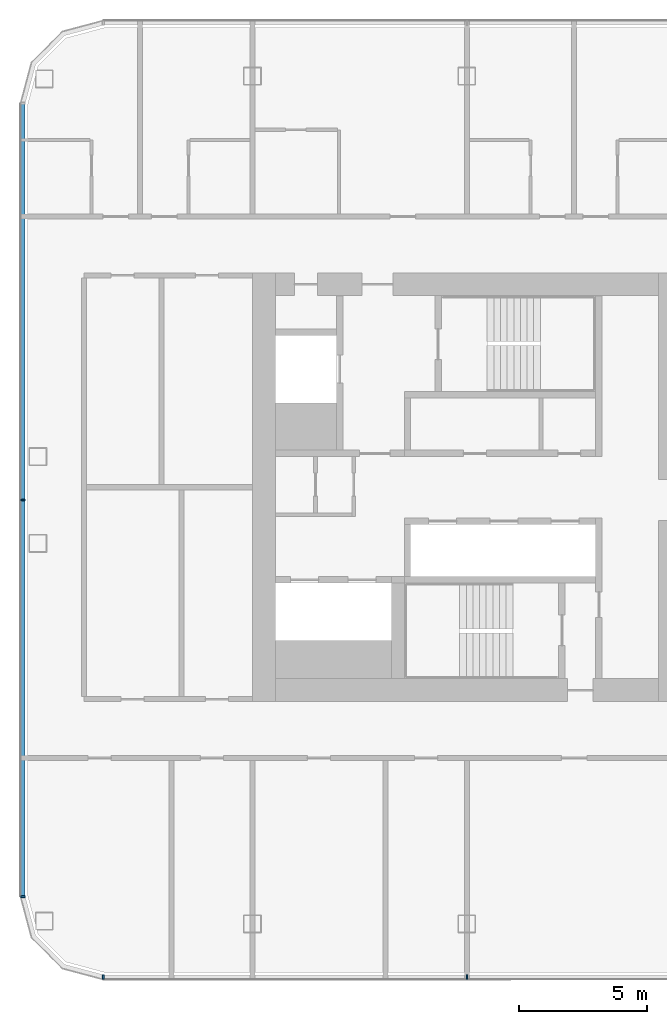
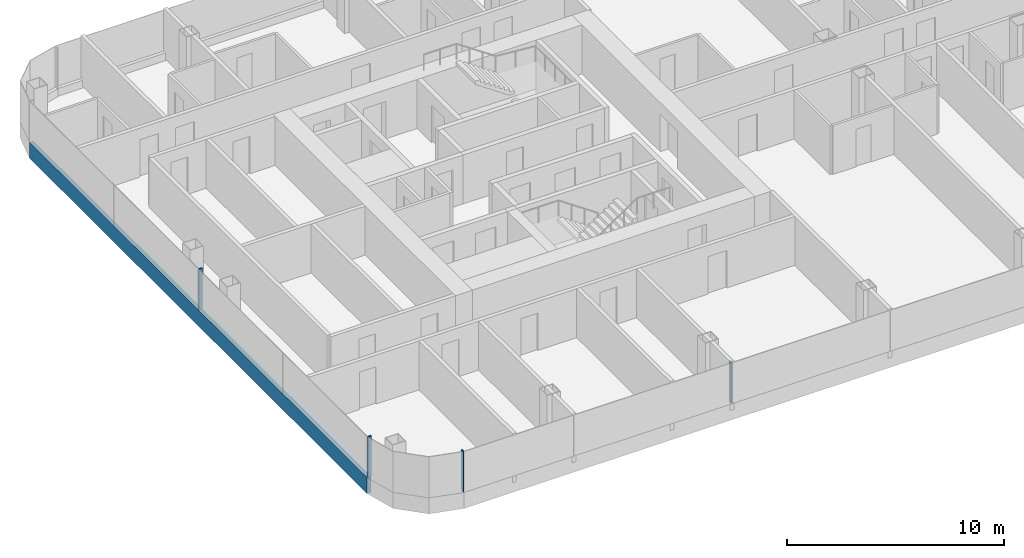
# One storey, part 2 of 26: 5 members, 2 elements without a shape of their own.
"""IFC4 building model written with IfcOpenShell, lengths in metres."""

import ifcopenshell
import ifcopenshell.guid

model = None  # the IFC model being written
_history = None  # IfcOwnerHistory: only IFC2X3 demands one
_inside = {}  # id of a spatial element -> (the spatial element, [elements in it])
_under = {}  # id of a project, library or spatial element -> (it, [spatial elements below it])
_declared = {}  # id of a project -> (the project, [libraries it declares])
_typed = {}  # id of a type object -> (the type object, [elements of that type])
_made_of = {}  # id of a material, layer set ... -> (it, [elements and type objects made of it])


def new_model(schema):
    """Start an empty IFC model of exactly this schema.

    Asked for "IFC4X3", IfcOpenShell would pick the latest addendum, in which some entities
    have other attributes; the version numbers below select the first issue.
    IFC2X3 requires an IfcOwnerHistory on every rooted entity: one is made here for all.
    """
    global model, _history
    if schema == "IFC4X3":
        model = ifcopenshell.file(schema_version=(4, 3, 0, 0))
    else:
        model = ifcopenshell.file(schema=schema)
    _inside.clear()
    _under.clear()
    _declared.clear()
    _typed.clear()
    _made_of.clear()
    _history = None
    if model.schema == "IFC2X3":
        org = make("IfcOrganization", Name="unknown")
        user = make(
            "IfcPersonAndOrganization",
            ThePerson=make("IfcPerson", FamilyName="unknown"),
            TheOrganization=org,
        )
        app = make(
            "IfcApplication",
            ApplicationDeveloper=org,
            Version="unknown",
            ApplicationFullName="unknown",
            ApplicationIdentifier="unknown",
        )
        _history = make(
            "IfcOwnerHistory",
            OwningUser=user,
            OwningApplication=app,
            ChangeAction="ADDED",
            CreationDate=0,
        )
    return model


def make(cls, **values):
    """One entity of the class cls with the attributes given. An attribute that is None is left unset."""
    return model.create_entity(
        cls, **{name: value for name, value in values.items() if value is not None}
    )


def rooted(cls, **values):
    """An entity with a GlobalId (a new one), such as an element, a storey or a relation."""
    return make(cls, GlobalId=ifcopenshell.guid.new(), OwnerHistory=_history, **values)


def si_unit(unit_type, name, prefix=None):
    """IfcSIUnit, for example si_unit("LENGTHUNIT", "METRE", prefix="MILLI")."""
    return make("IfcSIUnit", UnitType=unit_type, Prefix=prefix, Name=name)


def assignment(units):
    """IfcUnitAssignment: the units of a project."""
    return None if units is None else make("IfcUnitAssignment", Units=units)


def point(xyz):
    """IfcCartesianPoint."""
    return None if xyz is None else make("IfcCartesianPoint", Coordinates=xyz)


def direction(xyz):
    """IfcDirection."""
    return None if xyz is None else make("IfcDirection", DirectionRatios=xyz)


def frame(location, z_axis=None, x_axis=None):
    """IfcAxis2Placement3D, a coordinate frame: its origin and axes. An axis left out is left unset."""
    return make(
        "IfcAxis2Placement3D",
        Location=point(location),
        Axis=direction(z_axis),
        RefDirection=direction(x_axis),
    )


def frame_2d(location, x_axis=None):
    """IfcAxis2Placement2D, a coordinate frame in the plane: its origin and x axis."""
    return make(
        "IfcAxis2Placement2D", Location=point(location), RefDirection=direction(x_axis)
    )


def origin():
    """The frame at (0, 0, 0) with its axes left unset."""
    return frame((0.0, 0.0, 0.0))


def origin_2d():
    """The frame at (0, 0) in the plane with its x axis left unset."""
    return frame_2d((0.0, 0.0))


def place(relative_to, where):
    """IfcLocalPlacement: puts the frame where relative to a parent placement (None: the world)."""
    return make(
        "IfcLocalPlacement", PlacementRelTo=relative_to, RelativePlacement=where
    )


def context(
    kind, dimensions, precision=None, world=None, true_north=None, identifier=None
):
    """IfcGeometricRepresentationContext, for example the 3D "Model" context."""
    return make(
        "IfcGeometricRepresentationContext",
        ContextIdentifier=identifier,
        ContextType=kind,
        CoordinateSpaceDimension=dimensions,
        Precision=precision,
        WorldCoordinateSystem=world,
        TrueNorth=true_north,
    )


def subcontext(parent, identifier, kind, view, scale=None):
    """IfcGeometricRepresentationSubContext, for example "Body" below "Model"."""
    return make(
        "IfcGeometricRepresentationSubContext",
        ContextIdentifier=identifier,
        ContextType=kind,
        ParentContext=parent,
        TargetScale=scale,
        TargetView=view,
    )


def project(units=None, contexts=None):
    """IfcProject with its units and contexts."""
    return rooted(
        "IfcProject",
        Name="project",
        RepresentationContexts=contexts,
        UnitsInContext=assignment(units),
    )


def spatial(cls, under=None, at=None, **own):
    """A site, building, storey or space (cls), placed at a placement, below another one or the project."""
    s = rooted(cls, ObjectPlacement=at, **own)
    if under is not None:
        _under.setdefault(under.id(), (under, []))[1].append(s)
    return s


def profile(cls, at=None, kind="AREA", **sizes):
    """A parametric profile (cls). Its sizes go by their IFC names, for example OverallWidth=200.0."""
    return make(cls, ProfileType=kind, Position=at, **sizes)


def rectangle(**sizes):
    """IfcRectangleProfileDef."""
    return profile("IfcRectangleProfileDef", **sizes)


def extrude(swept, where, along, depth):
    """IfcExtrudedAreaSolid: the profile swept, set in the frame where, extruded along a direction by depth."""
    return make(
        "IfcExtrudedAreaSolid",
        SweptArea=swept,
        Position=where,
        ExtrudedDirection=direction(along),
        Depth=depth,
    )


def shape(context_of_items, identifier, shape_type, items):
    """IfcShapeRepresentation: the items that make up one representation, for example the "Body"."""
    return make(
        "IfcShapeRepresentation",
        ContextOfItems=context_of_items,
        RepresentationIdentifier=identifier,
        RepresentationType=shape_type,
        Items=items,
    )


def material(Name=None, Category=None):
    """IfcMaterial."""
    return make("IfcMaterial", Name=Name, Category=Category)


def layer(
    of_material, thickness, ventilated=None, Name=None, Category=None, Priority=None
):
    """IfcMaterialLayer: one layer of a wall or slab, of a material (None: an air gap)."""
    return make(
        "IfcMaterialLayer",
        Material=of_material,
        LayerThickness=thickness,
        IsVentilated=ventilated,
        Name=Name,
        Category=Category,
        Priority=Priority,
    )


def layer_set(layers, Name=None):
    """IfcMaterialLayerSet."""
    return make("IfcMaterialLayerSet", MaterialLayers=layers, LayerSetName=Name)


def material_profile(
    of_material, cross_section, Name=None, Category=None, Priority=None
):
    """IfcMaterialProfile: a cross section and its material."""
    return make(
        "IfcMaterialProfile",
        Name=Name,
        Material=of_material,
        Profile=cross_section,
        Priority=Priority,
        Category=Category,
    )


def profile_set(profiles, Name=None, composite=None):
    """IfcMaterialProfileSet."""
    return make(
        "IfcMaterialProfileSet",
        Name=Name,
        MaterialProfiles=profiles,
        CompositeProfile=composite,
    )


def made_of(thing, what):
    """Note that an element or type object is made of a material, layer set ...; save() writes the relation."""
    if what is not None:
        _made_of.setdefault(what.id(), (what, []))[1].append(thing)
    return thing


def type_object(cls, material=None, **own):
    """A type object (cls), such as IfcWallType, which elements share."""
    return made_of(rooted(cls, **own), material)


def element(
    cls,
    number,
    at=None,
    inside=None,
    cuts=None,
    type_object=None,
    material=None,
    context=None,
    identifier="Body",
    shape_type=None,
    held_by="IfcProductDefinitionShape",
    body=None,
    shapes=None,
    **own,
):
    """One element of the class cls, such as IfcWall. Its Tag is "e" and its number.

    at: its placement. inside: the storey or other place that contains it. cuts: it is an
    opening in that element (IfcRelVoidsElement). A single representation is given by context,
    identifier, shape_type and body (its items); several are given by shapes. held_by: the class
    of the entity that holds the representations. save() writes the other relations.
    """
    e = rooted(cls, Tag="e%d" % number, ObjectPlacement=at, **own)
    if body is not None:
        shapes = [shape(context, identifier, shape_type, body)]
    if shapes is not None:
        e.Representation = make(held_by, Representations=shapes)
    if inside is not None:
        _inside.setdefault(inside.id(), (inside, []))[1].append(e)
    if cuts is not None:
        rooted(
            "IfcRelVoidsElement", RelatingBuildingElement=cuts, RelatedOpeningElement=e
        )
    if type_object is not None:
        _typed.setdefault(type_object.id(), (type_object, []))[1].append(e)
    return made_of(e, material)


def aggregate(whole, parts):
    """IfcRelAggregates: a whole, such as a stair, and the parts it consists of."""
    return rooted("IfcRelAggregates", RelatingObject=whole, RelatedObjects=parts)


def save(model, path):
    """Write the relations noted so far, then the file.

    IfcRelAggregates (storeys below a building ...), IfcRelContainedInSpatialStructure (elements
    in a storey), IfcRelDefinesByType, IfcRelAssociatesMaterial and IfcRelDeclares: one each for
    every whole, place, type object, material and project.
    """
    for whole, parts in _under.values():
        aggregate(whole, parts)
    for where, things in _inside.values():
        rooted(
            "IfcRelContainedInSpatialStructure",
            RelatedElements=things,
            RelatingStructure=where,
        )
    for kind, things in _typed.values():
        rooted("IfcRelDefinesByType", RelatedObjects=things, RelatingType=kind)
    for what, things in _made_of.values():
        rooted("IfcRelAssociatesMaterial", RelatedObjects=things, RelatingMaterial=what)
    for by, libraries in _declared.values():
        rooted("IfcRelDeclares", RelatingContext=by, RelatedDefinitions=libraries)
    model.write(path)


model = new_model("IFC4")

# Units and contexts
model_context = context("Model", 3, precision=1e-05, world=origin(), true_north=direction((0.0, 1.0)))
body_context = subcontext(model_context, "Body", "Model", "MODEL_VIEW")
ifc_project = project(units=[si_unit("LENGTHUNIT", "METRE"), si_unit("AREAUNIT", "SQUARE_METRE"), si_unit("VOLUMEUNIT", "CUBIC_METRE"), si_unit("PLANEANGLEUNIT", "RADIAN"), si_unit("MASSUNIT", "GRAM", prefix="KILO")], contexts=[model_context])

# Site, building, storey
site_placement = place(None, origin())
site = spatial("IfcSite", under=ifc_project, at=site_placement, CompositionType="ELEMENT")
building_placement = place(site_placement, origin())
building = spatial("IfcBuilding", under=site, at=building_placement, Name="Hakoniwa Tower and Hamabe Station Hall", CompositionType="ELEMENT")
storey_placement = place(building_placement, frame((0.0, 0.0, 153.39990234375)))
storey = spatial("IfcBuildingStorey", under=building, at=storey_placement, Name="L43", CompositionType="ELEMENT", Elevation=153.39990234375)

# Curtain wall, members
ifc_material_1 = material(Name="Dark low-e laminated glass", Category="glass")
ifc_layer = layer(ifc_material_1, 0.199951171875)
ifc_layer_set = layer_set([ifc_layer], Name="CW-1 UNITISED GUEST")
curtain_wall_type = type_object("IfcCurtainWallType", Name="CW-1 UNITISED GUEST", PredefinedType="NOTDEFINED", material=ifc_layer_set)
curtain_wall_1_placement = place(storey_placement, origin())
curtain_wall_1 = element("IfcCurtainWall", 1, at=curtain_wall_1_placement, inside=storey, type_object=curtain_wall_type, Name="CW-1 curtain wall", PredefinedType="NOTDEFINED")
ifc_material_2 = material(Name="Aluminium 6063-T5 black anodised", Category="aluminium")
ifc_material_profile_1 = material_profile(ifc_material_2, rectangle(XDim=0.199951171875, YDim=0.89990234375, at=origin_2d()), Name="CW SLAB-EDGE BAND 900X200")
ifc_profile_set_1 = profile_set([ifc_material_profile_1], Name="Aluminium 6063-T5 black anodised")
member_type_1 = type_object("IfcMemberType", Name="CW SLAB-EDGE BAND 900X200", PredefinedType="USERDEFINED", material=ifc_profile_set_1)
member_1_placement = place(storey_placement, frame((-42.60009765625, 15.03955078125, -0.099853515625), z_axis=(0.0, -1.0, 0.0), x_axis=(1.0, 0.0, 0.0)))
member_1 = element("IfcMember", 2, at=member_1_placement, type_object=member_type_1, Name="CW-1 transom", ObjectType="TRANSOM", PredefinedType="USERDEFINED", context=body_context, shape_type="SweptSolid", body=[
    extrude(rectangle(XDim=0.199951171875, YDim=0.89990234375, at=origin_2d()), origin(), (0.0, 0.0, 1.0), 31.0791015625),
])
ifc_material_3 = material(Name="Aluminium 6063-T5 black anodised", Category="aluminium")
ifc_material_profile_2 = material_profile(ifc_material_3, rectangle(XDim=0.06005859375, YDim=0.179931640625, at=origin_2d()), Name="CW-1 MULLION 60X180")
ifc_profile_set_2 = profile_set([ifc_material_profile_2], Name="Aluminium 6063-T5 black anodised")
member_type_2 = type_object("IfcMemberType", Name="CW-1 MULLION 60X180", PredefinedType="MULLION", material=ifc_profile_set_2)
member_2_placement = place(storey_placement, frame((-42.58203125, -0.5, 0.35009765625), z_axis=(0.0, 0.0, 1.0), x_axis=(0.0, -1.0, 0.0)))
member_2 = element("IfcMember", 3, at=member_2_placement, type_object=member_type_2, Name="CW-1 mullion", PredefinedType="MULLION", context=body_context, shape_type="SweptSolid", body=[
    extrude(rectangle(XDim=0.06005859375, YDim=0.179931640625, at=origin_2d()), origin(), (0.0, 0.0, 1.0), 2.300048828125),
])
member_3_placement = place(storey_placement, frame((-42.58203125, -16.03955078125, 0.35009765625), z_axis=(0.0, 0.0, 1.0), x_axis=(0.0, -1.0, 0.0)))
member_3 = element("IfcMember", 4, at=member_3_placement, type_object=member_type_2, Name="CW-1 mullion", PredefinedType="MULLION", context=body_context, shape_type="SweptSolid", body=[
    extrude(rectangle(XDim=0.06005859375, YDim=0.179931640625, at=origin_2d()), origin(), (0.0, 0.0, 1.0), 2.300048828125),
])
aggregate(curtain_wall_1, [member_2, member_3, member_1])

curtain_wall_2_placement = place(storey_placement, origin())
curtain_wall_2 = element("IfcCurtainWall", 5, at=curtain_wall_2_placement, inside=storey, type_object=curtain_wall_type, Name="CW-1 curtain wall", PredefinedType="NOTDEFINED")
member_4_placement = place(storey_placement, frame((-39.439453125, -19.181884765625, 0.35009765625), z_axis=(0.0, 0.0, 1.0), x_axis=(1.0, 0.0, 0.0)))
member_4 = element("IfcMember", 6, at=member_4_placement, type_object=member_type_2, Name="CW-1 mullion", PredefinedType="MULLION", context=body_context, shape_type="SweptSolid", body=[
    extrude(rectangle(XDim=0.06005859375, YDim=0.179931640625, at=origin_2d()), origin(), (0.0, 0.0, 1.0), 2.300048828125),
])
member_5_placement = place(storey_placement, frame((-25.199951171875, -19.181884765625, 0.35009765625), z_axis=(0.0, 0.0, 1.0), x_axis=(1.0, 0.0, 0.0)))
member_5 = element("IfcMember", 7, at=member_5_placement, type_object=member_type_2, Name="CW-1 mullion", PredefinedType="MULLION", context=body_context, shape_type="SweptSolid", body=[
    extrude(rectangle(XDim=0.06005859375, YDim=0.179931640625, at=origin_2d()), origin(), (0.0, 0.0, 1.0), 2.300048828125),
])
aggregate(curtain_wall_2, [member_4, member_5])

save(model, "model.ifc")
